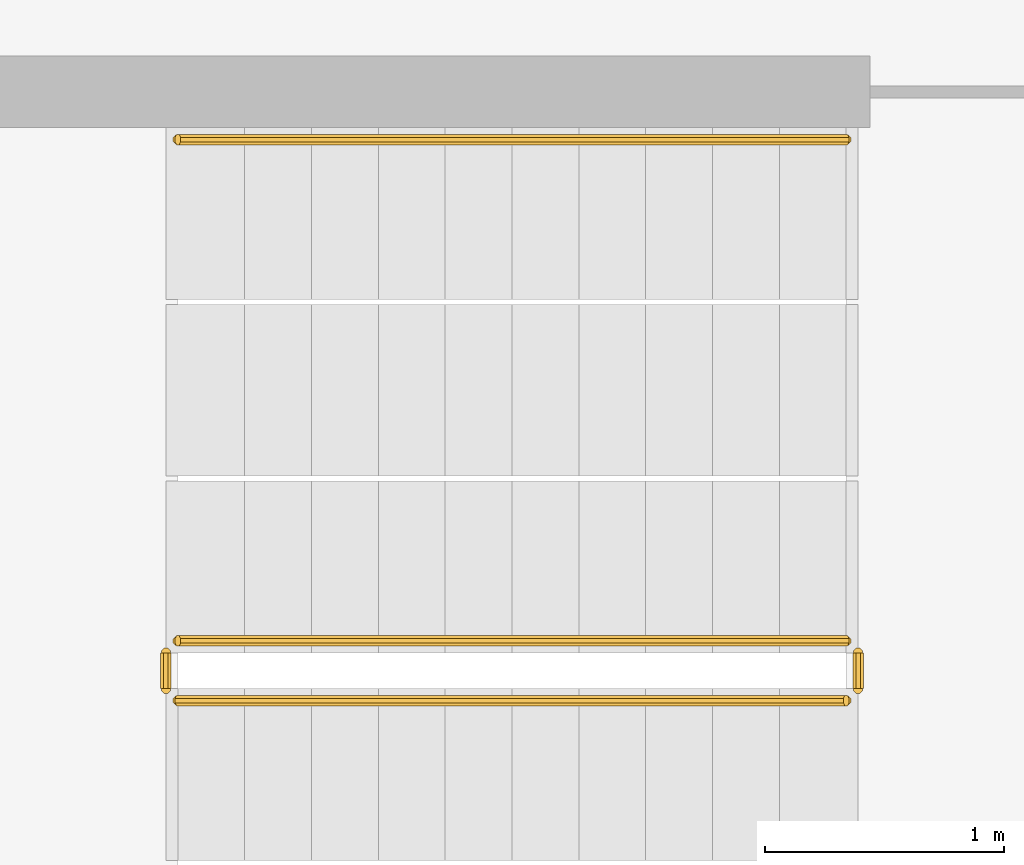
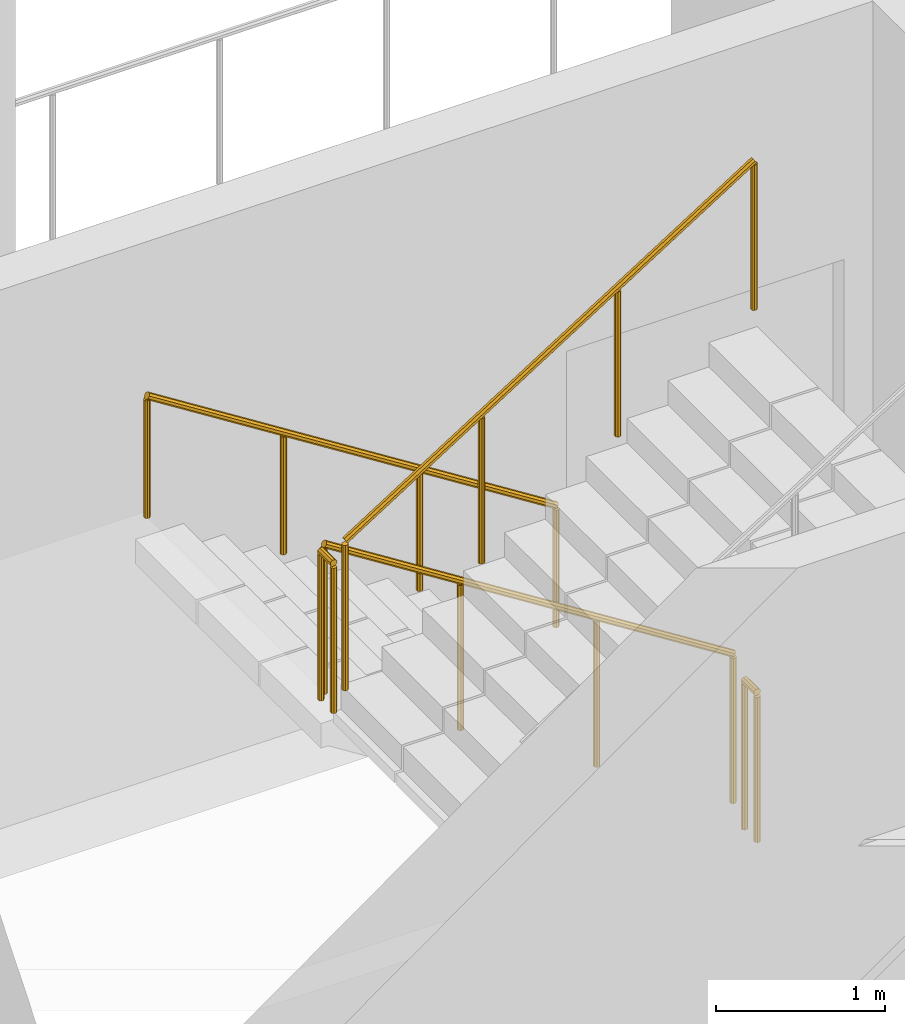
# One storey, part 20 of 27: 5 railings.
"""IFC4 building model written with IfcOpenShell, lengths in metres."""

from ifc_helpers import new_model, si_unit, direction, frame, origin, place, context, subcontext, project, spatial, polyline, outline, extrude, material, type_object, element, save


model = new_model("IFC4")

# Units and contexts
model_context = context("Model", 3, precision=1e-05, world=origin(), true_north=direction((0.0, 1.0)))
body_context = subcontext(model_context, "Body", "Model", "MODEL_VIEW")
ifc_project = project(units=[si_unit("LENGTHUNIT", "METRE"), si_unit("AREAUNIT", "SQUARE_METRE"), si_unit("VOLUMEUNIT", "CUBIC_METRE"), si_unit("PLANEANGLEUNIT", "RADIAN"), si_unit("MASSUNIT", "GRAM", prefix="KILO")], contexts=[model_context])

# Site, building, storey
site_placement = place(None, origin())
site = spatial("IfcSite", under=ifc_project, at=site_placement, CompositionType="ELEMENT")
building_placement = place(site_placement, origin())
building = spatial("IfcBuilding", under=site, at=building_placement, Name="Cormorant Relay Tower", CompositionType="ELEMENT")
storey_placement = place(building_placement, frame((0.0, 0.0, 224.699951171875)))
storey = spatial("IfcBuildingStorey", under=building, at=storey_placement, Name="L49", CompositionType="ELEMENT", Elevation=224.699951171875)

# Railings
ifc_material_1 = material(Name="Steel ASTM A572 Grade 50 (Fy 345 MPa)", Category="steel")
railing_type_1 = type_object("IfcRailingType", Name="Stair guard 1100", PredefinedType="GUARDRAIL", material=ifc_material_1)
railing_1_placement = place(storey_placement, frame((1.60009765625, -18.27490234375, 0.17724609375)))
element("IfcRailing", 1, at=railing_1_placement, inside=storey, type_object=railing_type_1, Name="L49 RK1 stair guard 1", PredefinedType="GUARDRAIL", context=body_context, shape_type="SweptSolid", body=[
    extrude(outline(polyline([(0.022216796875, 0.00927734375), (0.00927734375, 0.022216796875), (-0.00927734375, 0.022216796875), (-0.022216796875, 0.00927734375), (-0.022216796875, -0.00927734375), (-0.00927734375, -0.022216796875), (0.00927734375, -0.022216796875), (0.022216796875, -0.00927734375), (0.022216796875, 0.00927734375)])), frame((0.0, 0.0, 1.076171875), z_axis=(-0.844908973607, 0.0, 0.534910110503), x_axis=(0.0, -1.0, 0.0)), (0.0, 0.0, 1.0), 3.31396484375),
    extrude(outline(polyline([(0.019287109375, 0.008056640625), (0.008056640625, 0.019287109375), (-0.008056640625, 0.019287109375), (-0.019287109375, 0.008056640625), (-0.019287109375, -0.008056640625), (-0.008056640625, -0.019287109375), (0.008056640625, -0.019287109375), (0.019287109375, -0.008056640625), (0.019287109375, 0.008056640625)])), origin(), (0.0, 0.0, 1.0), 1.052001953125),
    extrude(outline(polyline([(0.019287109375, 0.008056640625), (0.008056640625, 0.019287109375), (-0.008056640625, 0.019287109375), (-0.019287109375, 0.008056640625), (-0.019287109375, -0.008056640625), (-0.008056640625, -0.019287109375), (0.008056640625, -0.019287109375), (0.019287109375, -0.008056640625), (0.019287109375, 0.008056640625)])), frame((-0.933349609375, 0.0, 0.5908203125)), (0.0, 0.0, 1.0), 1.052001953125),
    extrude(outline(polyline([(0.019287109375, 0.008056640625), (0.008056640625, 0.019287109375), (-0.008056640625, 0.019287109375), (-0.019287109375, 0.008056640625), (-0.019287109375, -0.008056640625), (-0.008056640625, -0.019287109375), (0.008056640625, -0.019287109375), (0.019287109375, -0.008056640625), (0.019287109375, 0.008056640625)])), frame((-1.86669921875, 0.0, 1.181884765625)), (0.0, 0.0, 1.0), 1.052001953125),
    extrude(outline(polyline([(0.019287109375, 0.008056640625), (0.008056640625, 0.019287109375), (-0.008056640625, 0.019287109375), (-0.019287109375, 0.008056640625), (-0.019287109375, -0.008056640625), (-0.008056640625, -0.019287109375), (0.008056640625, -0.019287109375), (0.019287109375, -0.008056640625), (0.019287109375, 0.008056640625)])), frame((-2.800048828125, 0.0, 1.772705078125)), (0.0, 0.0, 1.0), 1.052001953125),
])
railing_2_placement = place(storey_placement, frame((-1.25, -18.324951171875, 1.949951171875)))
element("IfcRailing", 2, at=railing_2_placement, inside=storey, type_object=railing_type_1, Name="L49 RK1 stair guard 2", PredefinedType="GUARDRAIL", context=body_context, shape_type="SweptSolid", body=[
    extrude(outline(polyline([(0.022216796875, 0.00927734375), (0.00927734375, 0.022216796875), (-0.00927734375, 0.022216796875), (-0.022216796875, 0.00927734375), (-0.022216796875, -0.00927734375), (-0.00927734375, -0.022216796875), (0.00927734375, -0.022216796875), (0.022216796875, -0.00927734375), (0.022216796875, 0.00927734375)])), frame((0.0, 0.0, 1.076171875), z_axis=(0.0, -1.0, 0.0), x_axis=(1.0, 0.0, 0.0)), (0.0, 0.0, 1.0), 0.150146484375),
    extrude(outline(polyline([(0.019287109375, 0.008056640625), (0.008056640625, 0.019287109375), (-0.008056640625, 0.019287109375), (-0.019287109375, 0.008056640625), (-0.019287109375, -0.008056640625), (-0.008056640625, -0.019287109375), (0.008056640625, -0.019287109375), (0.019287109375, -0.008056640625), (0.019287109375, 0.008056640625)])), origin(), (0.0, 0.0, 1.0), 1.052001953125),
    extrude(outline(polyline([(0.019287109375, 0.008056640625), (0.008056640625, 0.019287109375), (-0.008056640625, 0.019287109375), (-0.019287109375, 0.008056640625), (-0.019287109375, -0.008056640625), (-0.008056640625, -0.019287109375), (0.008056640625, -0.019287109375), (0.019287109375, -0.008056640625), (0.019287109375, 0.008056640625)])), frame((0.0, -0.150146484375, 0.0)), (0.0, 0.0, 1.0), 1.052001953125),
])
railing_3_placement = place(storey_placement, frame((-1.199951171875, -18.52490234375, 2.12744140625)))
element("IfcRailing", 3, at=railing_3_placement, inside=storey, type_object=railing_type_1, Name="L49 RK1 stair guard 3", PredefinedType="GUARDRAIL", context=body_context, shape_type="SweptSolid", body=[
    extrude(outline(polyline([(0.022216796875, 0.00927734375), (0.00927734375, 0.022216796875), (-0.00927734375, 0.022216796875), (-0.022216796875, 0.00927734375), (-0.022216796875, -0.00927734375), (-0.00927734375, -0.022216796875), (0.00927734375, -0.022216796875), (0.022216796875, -0.00927734375), (0.022216796875, 0.00927734375)])), frame((0.0, 0.0, 1.076171875), z_axis=(0.844908973607, 0.0, 0.534910110503), x_axis=(0.0, 1.0, 0.0)), (0.0, 0.0, 1.0), 3.31396484375),
    extrude(outline(polyline([(0.019287109375, 0.008056640625), (0.008056640625, 0.019287109375), (-0.008056640625, 0.019287109375), (-0.019287109375, 0.008056640625), (-0.019287109375, -0.008056640625), (-0.008056640625, -0.019287109375), (0.008056640625, -0.019287109375), (0.019287109375, -0.008056640625), (0.019287109375, 0.008056640625)])), origin(), (0.0, 0.0, 1.0), 1.052001953125),
    extrude(outline(polyline([(0.019287109375, 0.008056640625), (0.008056640625, 0.019287109375), (-0.008056640625, 0.019287109375), (-0.019287109375, 0.008056640625), (-0.019287109375, -0.008056640625), (-0.008056640625, -0.019287109375), (0.008056640625, -0.019287109375), (0.019287109375, -0.008056640625), (0.019287109375, 0.008056640625)])), frame((0.933349609375, 0.0, 0.5908203125)), (0.0, 0.0, 1.0), 1.052001953125),
    extrude(outline(polyline([(0.019287109375, 0.008056640625), (0.008056640625, 0.019287109375), (-0.008056640625, 0.019287109375), (-0.019287109375, 0.008056640625), (-0.019287109375, -0.008056640625), (-0.008056640625, -0.019287109375), (0.008056640625, -0.019287109375), (0.019287109375, -0.008056640625), (0.019287109375, 0.008056640625)])), frame((1.86669921875, 0.0, 1.181884765625)), (0.0, 0.0, 1.0), 1.052001953125),
    extrude(outline(polyline([(0.019287109375, 0.008056640625), (0.008056640625, 0.019287109375), (-0.008056640625, 0.019287109375), (-0.019287109375, 0.008056640625), (-0.019287109375, -0.008056640625), (-0.008056640625, -0.019287109375), (0.008056640625, -0.019287109375), (0.019287109375, -0.008056640625), (0.019287109375, 0.008056640625)])), frame((2.800048828125, 0.0, 1.772705078125)), (0.0, 0.0, 1.0), 1.052001953125),
])
railing_4_placement = place(storey_placement, frame((1.64990234375, -18.324951171875, 0.0)))
element("IfcRailing", 4, at=railing_4_placement, inside=storey, type_object=railing_type_1, Name="L49 RK1 stair guard 4", PredefinedType="GUARDRAIL", context=body_context, shape_type="SweptSolid", body=[
    extrude(outline(polyline([(0.022216796875, 0.00927734375), (0.00927734375, 0.022216796875), (-0.00927734375, 0.022216796875), (-0.022216796875, 0.00927734375), (-0.022216796875, -0.00927734375), (-0.00927734375, -0.022216796875), (0.00927734375, -0.022216796875), (0.022216796875, -0.00927734375), (0.022216796875, 0.00927734375)])), frame((0.0, 0.0, 1.076171875), z_axis=(0.0, -1.0, 0.0), x_axis=(1.0, 0.0, 0.0)), (0.0, 0.0, 1.0), 0.150146484375),
    extrude(outline(polyline([(0.019287109375, 0.008056640625), (0.008056640625, 0.019287109375), (-0.008056640625, 0.019287109375), (-0.019287109375, 0.008056640625), (-0.019287109375, -0.008056640625), (-0.008056640625, -0.019287109375), (0.008056640625, -0.019287109375), (0.019287109375, -0.008056640625), (0.019287109375, 0.008056640625)])), origin(), (0.0, 0.0, 1.0), 1.052001953125),
    extrude(outline(polyline([(0.019287109375, 0.008056640625), (0.008056640625, 0.019287109375), (-0.008056640625, 0.019287109375), (-0.019287109375, 0.008056640625), (-0.019287109375, -0.008056640625), (-0.008056640625, -0.019287109375), (0.008056640625, -0.019287109375), (0.019287109375, -0.008056640625), (0.019287109375, 0.008056640625)])), frame((0.0, -0.150146484375, 0.0)), (0.0, 0.0, 1.0), 1.052001953125),
])
ifc_material_2 = material(Name="Steel ASTM A572 Grade 50 (Fy 345 MPa)", Category="steel")
railing_type_2 = type_object("IfcRailingType", Name="Stair handrail 900", PredefinedType="HANDRAIL", material=ifc_material_2)
railing_5_placement = place(storey_placement, frame((1.60009765625, -16.175048828125, 0.17724609375)))
element("IfcRailing", 5, at=railing_5_placement, inside=storey, type_object=railing_type_2, Name="L49 RK1 stair handrail 1", PredefinedType="HANDRAIL", context=body_context, shape_type="SweptSolid", body=[
    extrude(outline(polyline([(0.022216796875, 0.00927734375), (0.00927734375, 0.022216796875), (-0.00927734375, 0.022216796875), (-0.022216796875, 0.00927734375), (-0.022216796875, -0.00927734375), (-0.00927734375, -0.022216796875), (0.00927734375, -0.022216796875), (0.022216796875, -0.00927734375), (0.022216796875, 0.00927734375)])), frame((0.0, 0.0, 0.8759765625), z_axis=(-0.844908973607, 0.0, 0.534910110503), x_axis=(0.0, -1.0, 0.0)), (0.0, 0.0, 1.0), 3.31396484375),
    extrude(outline(polyline([(0.019287109375, 0.008056640625), (0.008056640625, 0.019287109375), (-0.008056640625, 0.019287109375), (-0.019287109375, 0.008056640625), (-0.019287109375, -0.008056640625), (-0.008056640625, -0.019287109375), (0.008056640625, -0.019287109375), (0.019287109375, -0.008056640625), (0.019287109375, 0.008056640625)])), origin(), (0.0, 0.0, 1.0), 0.851806640625),
    extrude(outline(polyline([(0.019287109375, 0.008056640625), (0.008056640625, 0.019287109375), (-0.008056640625, 0.019287109375), (-0.019287109375, 0.008056640625), (-0.019287109375, -0.008056640625), (-0.008056640625, -0.019287109375), (0.008056640625, -0.019287109375), (0.019287109375, -0.008056640625), (0.019287109375, 0.008056640625)])), frame((-0.933349609375, 0.0, 0.5908203125)), (0.0, 0.0, 1.0), 0.851806640625),
    extrude(outline(polyline([(0.019287109375, 0.008056640625), (0.008056640625, 0.019287109375), (-0.008056640625, 0.019287109375), (-0.019287109375, 0.008056640625), (-0.019287109375, -0.008056640625), (-0.008056640625, -0.019287109375), (0.008056640625, -0.019287109375), (0.019287109375, -0.008056640625), (0.019287109375, 0.008056640625)])), frame((-1.86669921875, 0.0, 1.181884765625)), (0.0, 0.0, 1.0), 0.851806640625),
    extrude(outline(polyline([(0.019287109375, 0.008056640625), (0.008056640625, 0.019287109375), (-0.008056640625, 0.019287109375), (-0.019287109375, 0.008056640625), (-0.019287109375, -0.008056640625), (-0.008056640625, -0.019287109375), (0.008056640625, -0.019287109375), (0.019287109375, -0.008056640625), (0.019287109375, 0.008056640625)])), frame((-2.800048828125, 0.0, 1.772705078125)), (0.0, 0.0, 1.0), 0.851806640625),
])

save(model, "model.ifc")
